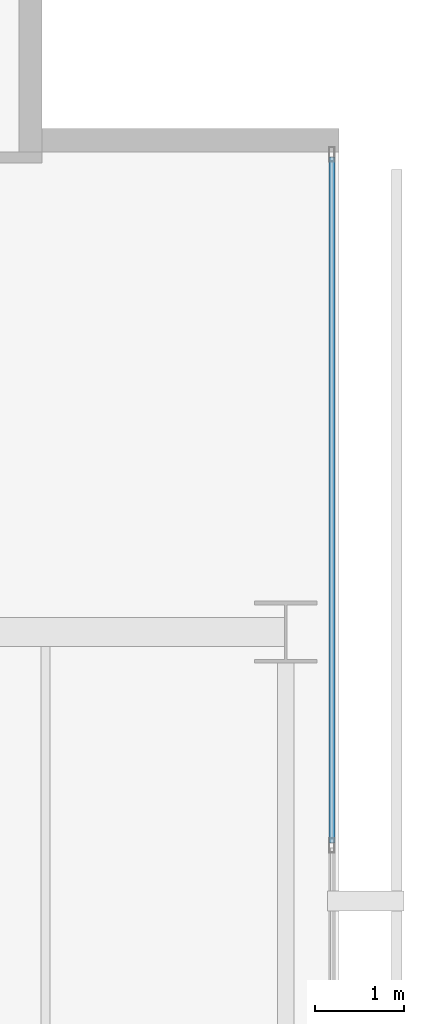
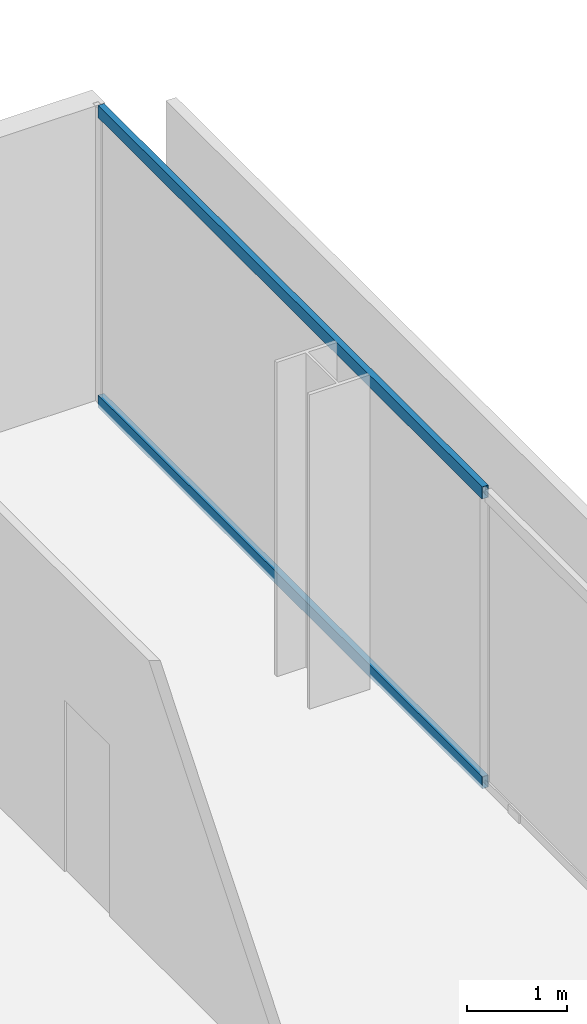
# One storey, part 29 of 39: 2 members, 1 element without a shape of its own.
"""IFC4 building model written with IfcOpenShell, lengths in metres."""

import ifcopenshell
import ifcopenshell.guid

model = None  # the IFC model being written
_history = None  # IfcOwnerHistory: only IFC2X3 demands one
_inside = {}  # id of a spatial element -> (the spatial element, [elements in it])
_under = {}  # id of a project, library or spatial element -> (it, [spatial elements below it])
_declared = {}  # id of a project -> (the project, [libraries it declares])
_typed = {}  # id of a type object -> (the type object, [elements of that type])
_made_of = {}  # id of a material, layer set ... -> (it, [elements and type objects made of it])


def new_model(schema):
    """Start an empty IFC model of exactly this schema.

    Asked for "IFC4X3", IfcOpenShell would pick the latest addendum, in which some entities
    have other attributes; the version numbers below select the first issue.
    IFC2X3 requires an IfcOwnerHistory on every rooted entity: one is made here for all.
    """
    global model, _history
    if schema == "IFC4X3":
        model = ifcopenshell.file(schema_version=(4, 3, 0, 0))
    else:
        model = ifcopenshell.file(schema=schema)
    _inside.clear()
    _under.clear()
    _declared.clear()
    _typed.clear()
    _made_of.clear()
    _history = None
    if model.schema == "IFC2X3":
        org = make("IfcOrganization", Name="unknown")
        user = make(
            "IfcPersonAndOrganization",
            ThePerson=make("IfcPerson", FamilyName="unknown"),
            TheOrganization=org,
        )
        app = make(
            "IfcApplication",
            ApplicationDeveloper=org,
            Version="unknown",
            ApplicationFullName="unknown",
            ApplicationIdentifier="unknown",
        )
        _history = make(
            "IfcOwnerHistory",
            OwningUser=user,
            OwningApplication=app,
            ChangeAction="ADDED",
            CreationDate=0,
        )
    return model


def make(cls, **values):
    """One entity of the class cls with the attributes given. An attribute that is None is left unset."""
    return model.create_entity(
        cls, **{name: value for name, value in values.items() if value is not None}
    )


def rooted(cls, **values):
    """An entity with a GlobalId (a new one), such as an element, a storey or a relation."""
    return make(cls, GlobalId=ifcopenshell.guid.new(), OwnerHistory=_history, **values)


def si_unit(unit_type, name, prefix=None):
    """IfcSIUnit, for example si_unit("LENGTHUNIT", "METRE", prefix="MILLI")."""
    return make("IfcSIUnit", UnitType=unit_type, Prefix=prefix, Name=name)


def assignment(units):
    """IfcUnitAssignment: the units of a project."""
    return None if units is None else make("IfcUnitAssignment", Units=units)


def point(xyz):
    """IfcCartesianPoint."""
    return None if xyz is None else make("IfcCartesianPoint", Coordinates=xyz)


def direction(xyz):
    """IfcDirection."""
    return None if xyz is None else make("IfcDirection", DirectionRatios=xyz)


def frame(location, z_axis=None, x_axis=None):
    """IfcAxis2Placement3D, a coordinate frame: its origin and axes. An axis left out is left unset."""
    return make(
        "IfcAxis2Placement3D",
        Location=point(location),
        Axis=direction(z_axis),
        RefDirection=direction(x_axis),
    )


def frame_2d(location, x_axis=None):
    """IfcAxis2Placement2D, a coordinate frame in the plane: its origin and x axis."""
    return make(
        "IfcAxis2Placement2D", Location=point(location), RefDirection=direction(x_axis)
    )


def origin():
    """The frame at (0, 0, 0) with its axes left unset."""
    return frame((0.0, 0.0, 0.0))


def origin_2d():
    """The frame at (0, 0) in the plane with its x axis left unset."""
    return frame_2d((0.0, 0.0))


def place(relative_to, where):
    """IfcLocalPlacement: puts the frame where relative to a parent placement (None: the world)."""
    return make(
        "IfcLocalPlacement", PlacementRelTo=relative_to, RelativePlacement=where
    )


def context(
    kind, dimensions, precision=None, world=None, true_north=None, identifier=None
):
    """IfcGeometricRepresentationContext, for example the 3D "Model" context."""
    return make(
        "IfcGeometricRepresentationContext",
        ContextIdentifier=identifier,
        ContextType=kind,
        CoordinateSpaceDimension=dimensions,
        Precision=precision,
        WorldCoordinateSystem=world,
        TrueNorth=true_north,
    )


def subcontext(parent, identifier, kind, view, scale=None):
    """IfcGeometricRepresentationSubContext, for example "Body" below "Model"."""
    return make(
        "IfcGeometricRepresentationSubContext",
        ContextIdentifier=identifier,
        ContextType=kind,
        ParentContext=parent,
        TargetScale=scale,
        TargetView=view,
    )


def project(units=None, contexts=None):
    """IfcProject with its units and contexts."""
    return rooted(
        "IfcProject",
        Name="project",
        RepresentationContexts=contexts,
        UnitsInContext=assignment(units),
    )


def spatial(cls, under=None, at=None, **own):
    """A site, building, storey or space (cls), placed at a placement, below another one or the project."""
    s = rooted(cls, ObjectPlacement=at, **own)
    if under is not None:
        _under.setdefault(under.id(), (under, []))[1].append(s)
    return s


def profile(cls, at=None, kind="AREA", **sizes):
    """A parametric profile (cls). Its sizes go by their IFC names, for example OverallWidth=200.0."""
    return make(cls, ProfileType=kind, Position=at, **sizes)


def hollow_rectangle(**sizes):
    """IfcRectangleHollowProfileDef."""
    return profile("IfcRectangleHollowProfileDef", **sizes)


def extrude(swept, where, along, depth):
    """IfcExtrudedAreaSolid: the profile swept, set in the frame where, extruded along a direction by depth."""
    return make(
        "IfcExtrudedAreaSolid",
        SweptArea=swept,
        Position=where,
        ExtrudedDirection=direction(along),
        Depth=depth,
    )


def shape(context_of_items, identifier, shape_type, items):
    """IfcShapeRepresentation: the items that make up one representation, for example the "Body"."""
    return make(
        "IfcShapeRepresentation",
        ContextOfItems=context_of_items,
        RepresentationIdentifier=identifier,
        RepresentationType=shape_type,
        Items=items,
    )


def material(Name=None, Category=None):
    """IfcMaterial."""
    return make("IfcMaterial", Name=Name, Category=Category)


def layer(
    of_material, thickness, ventilated=None, Name=None, Category=None, Priority=None
):
    """IfcMaterialLayer: one layer of a wall or slab, of a material (None: an air gap)."""
    return make(
        "IfcMaterialLayer",
        Material=of_material,
        LayerThickness=thickness,
        IsVentilated=ventilated,
        Name=Name,
        Category=Category,
        Priority=Priority,
    )


def layer_set(layers, Name=None):
    """IfcMaterialLayerSet."""
    return make("IfcMaterialLayerSet", MaterialLayers=layers, LayerSetName=Name)


def material_profile(
    of_material, cross_section, Name=None, Category=None, Priority=None
):
    """IfcMaterialProfile: a cross section and its material."""
    return make(
        "IfcMaterialProfile",
        Name=Name,
        Material=of_material,
        Profile=cross_section,
        Priority=Priority,
        Category=Category,
    )


def profile_set(profiles, Name=None, composite=None):
    """IfcMaterialProfileSet."""
    return make(
        "IfcMaterialProfileSet",
        Name=Name,
        MaterialProfiles=profiles,
        CompositeProfile=composite,
    )


def made_of(thing, what):
    """Note that an element or type object is made of a material, layer set ...; save() writes the relation."""
    if what is not None:
        _made_of.setdefault(what.id(), (what, []))[1].append(thing)
    return thing


def type_object(cls, material=None, **own):
    """A type object (cls), such as IfcWallType, which elements share."""
    return made_of(rooted(cls, **own), material)


def element(
    cls,
    number,
    at=None,
    inside=None,
    cuts=None,
    type_object=None,
    material=None,
    context=None,
    identifier="Body",
    shape_type=None,
    held_by="IfcProductDefinitionShape",
    body=None,
    shapes=None,
    **own,
):
    """One element of the class cls, such as IfcWall. Its Tag is "e" and its number.

    at: its placement. inside: the storey or other place that contains it. cuts: it is an
    opening in that element (IfcRelVoidsElement). A single representation is given by context,
    identifier, shape_type and body (its items); several are given by shapes. held_by: the class
    of the entity that holds the representations. save() writes the other relations.
    """
    e = rooted(cls, Tag="e%d" % number, ObjectPlacement=at, **own)
    if body is not None:
        shapes = [shape(context, identifier, shape_type, body)]
    if shapes is not None:
        e.Representation = make(held_by, Representations=shapes)
    if inside is not None:
        _inside.setdefault(inside.id(), (inside, []))[1].append(e)
    if cuts is not None:
        rooted(
            "IfcRelVoidsElement", RelatingBuildingElement=cuts, RelatedOpeningElement=e
        )
    if type_object is not None:
        _typed.setdefault(type_object.id(), (type_object, []))[1].append(e)
    return made_of(e, material)


def aggregate(whole, parts):
    """IfcRelAggregates: a whole, such as a stair, and the parts it consists of."""
    return rooted("IfcRelAggregates", RelatingObject=whole, RelatedObjects=parts)


def save(model, path):
    """Write the relations noted so far, then the file.

    IfcRelAggregates (storeys below a building ...), IfcRelContainedInSpatialStructure (elements
    in a storey), IfcRelDefinesByType, IfcRelAssociatesMaterial and IfcRelDeclares: one each for
    every whole, place, type object, material and project.
    """
    for whole, parts in _under.values():
        aggregate(whole, parts)
    for where, things in _inside.values():
        rooted(
            "IfcRelContainedInSpatialStructure",
            RelatedElements=things,
            RelatingStructure=where,
        )
    for kind, things in _typed.values():
        rooted("IfcRelDefinesByType", RelatedObjects=things, RelatingType=kind)
    for what, things in _made_of.values():
        rooted("IfcRelAssociatesMaterial", RelatedObjects=things, RelatingMaterial=what)
    for by, libraries in _declared.values():
        rooted("IfcRelDeclares", RelatingContext=by, RelatedDefinitions=libraries)
    model.write(path)


model = new_model("IFC4")

# Units and contexts
model_context = context("Model", 3, precision=1e-05, world=origin(), true_north=direction((0.0, 1.0)))
body_context = subcontext(model_context, "Body", "Model", "MODEL_VIEW")
ifc_project = project(units=[si_unit("LENGTHUNIT", "METRE"), si_unit("AREAUNIT", "SQUARE_METRE"), si_unit("VOLUMEUNIT", "CUBIC_METRE"), si_unit("PLANEANGLEUNIT", "RADIAN"), si_unit("MASSUNIT", "GRAM", prefix="KILO")], contexts=[model_context])

# Site, building, storey
site_placement = place(None, origin())
site = spatial("IfcSite", under=ifc_project, at=site_placement, CompositionType="ELEMENT")
building_placement = place(site_placement, origin())
building = spatial("IfcBuilding", under=site, at=building_placement, Name="Maruvema Waterfront Hotel and Observation Tower", CompositionType="ELEMENT")
storey_placement = place(building_placement, frame((0.0, 0.0, 65.449951171875)))
storey = spatial("IfcBuildingStorey", under=building, at=storey_placement, Name="L15", CompositionType="ELEMENT", Elevation=65.449951171875)

# Curtain wall, members
ifc_material_1 = material(Name="Anodised bronze aluminium and solar-control low-E IGU", Category="aluminium")
ifc_layer = layer(ifc_material_1, 0.159912109375, Name="Zone 1 Bronze Inner Thermal Curtain Wall System CW-02")
ifc_layer_set = layer_set([ifc_layer], Name="Anodised bronze aluminium and solar-control low-E IGU")
curtain_wall_type = type_object("IfcCurtainWallType", Name="Zone 1 Bronze Inner Thermal Curtain Wall System CW-02", PredefinedType="USERDEFINED", material=ifc_layer_set)
curtain_wall_placement = place(storey_placement, origin())
curtain_wall = element("IfcCurtainWall", 1, at=curtain_wall_placement, inside=storey, type_object=curtain_wall_type, Name="L15 Curtain Wall CW-L15-E", ObjectType="UNITISED CURTAIN WALL", PredefinedType="USERDEFINED")
ifc_material_2 = material(Name="Anodised architectural bronze aluminium", Category="aluminium")
ifc_material_profile = material_profile(ifc_material_2, hollow_rectangle(XDim=0.070068359375, YDim=0.14990234375, WallThickness=0.00390625, at=origin_2d()), Name="ALU-T70x150")
ifc_profile_set = profile_set([ifc_material_profile], Name="Anodised architectural bronze aluminium")
member_type = type_object("IfcMemberType", Name="Curtain Wall Horizontal Transom ALU-T70x150", PredefinedType="USERDEFINED", material=ifc_profile_set)
member_1_placement = place(storey_placement, frame((64.719970703125, 42.6298828125, 0.030029296875), z_axis=(0.0, 1.0, 0.0), x_axis=(-1.0, 0.0, 0.0)))
member_1 = element("IfcMember", 2, at=member_1_placement, type_object=member_type, Name="CW-02 transom 6.1", ObjectType="TRANSOM", PredefinedType="USERDEFINED", context=body_context, shape_type="SweptSolid", body=[
    extrude(hollow_rectangle(XDim=0.070068359375, YDim=0.14990234375, WallThickness=0.00390625, at=origin_2d()), origin(), (0.0, 0.0, 1.0), 7.710205078125),
])
member_2_placement = place(storey_placement, frame((64.719970703125, 42.6298828125, 3.580078125), z_axis=(0.0, 1.0, 0.0), x_axis=(-1.0, 0.0, 0.0)))
member_2 = element("IfcMember", 3, at=member_2_placement, type_object=member_type, Name="CW-02 transom 6.2", ObjectType="TRANSOM", PredefinedType="USERDEFINED", context=body_context, shape_type="SweptSolid", body=[
    extrude(hollow_rectangle(XDim=0.070068359375, YDim=0.14990234375, WallThickness=0.00390625, at=origin_2d()), origin(), (0.0, 0.0, 1.0), 7.710205078125),
])
aggregate(curtain_wall, [member_1, member_2])

save(model, "model.ifc")
